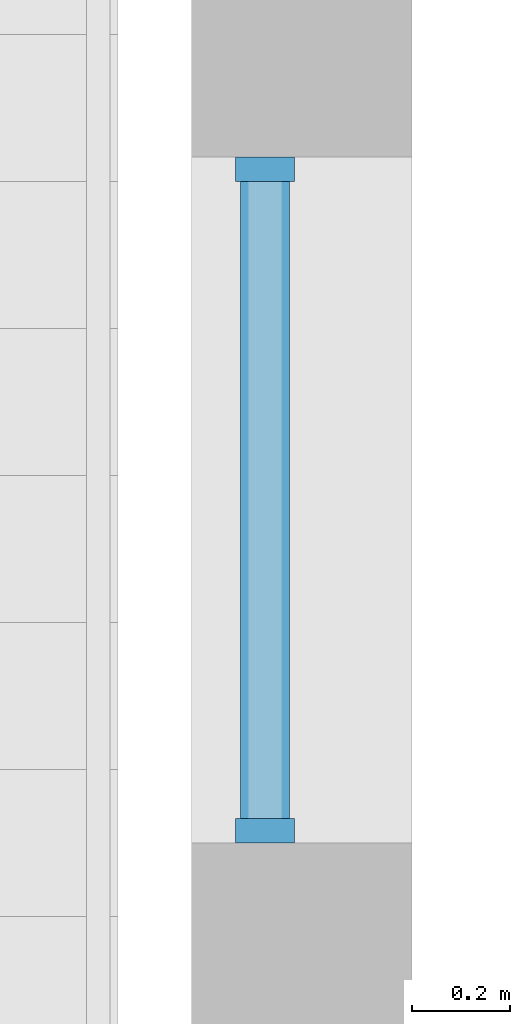
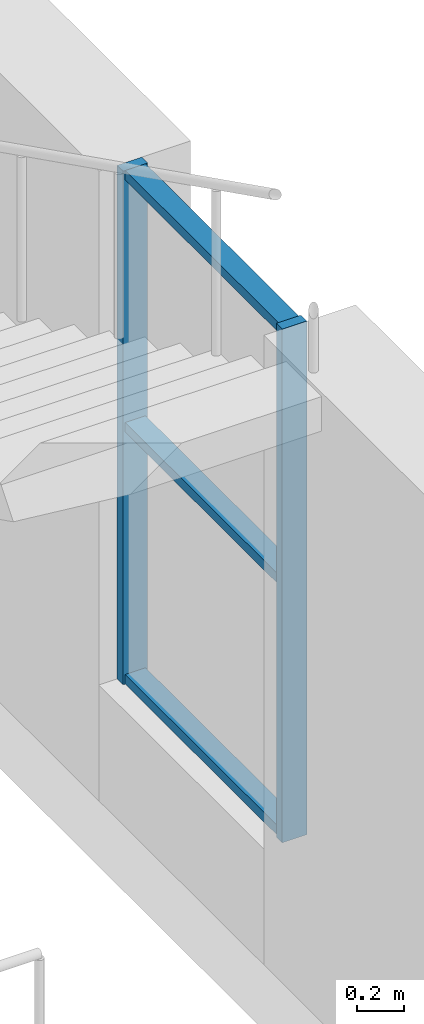
# One storey, part 6 of 45: 5 members, 1 element without a shape of its own.
"""IFC4 building model written with IfcOpenShell, lengths in metres."""

from ifc_helpers import new_model, si_unit, direction, frame, origin, origin_2d, place, context, subcontext, project, spatial, rectangle, extrude, material, material_profile, profile_set, type_object, element, aggregate, save


model = new_model("IFC4")

# Units and contexts
model_context = context("Model", 3, precision=1e-05, world=origin(), true_north=direction((0.0, 1.0)))
body_context = subcontext(model_context, "Body", "Model", "MODEL_VIEW")
ifc_project = project(units=[si_unit("LENGTHUNIT", "METRE"), si_unit("AREAUNIT", "SQUARE_METRE"), si_unit("VOLUMEUNIT", "CUBIC_METRE"), si_unit("PLANEANGLEUNIT", "RADIAN"), si_unit("MASSUNIT", "GRAM", prefix="KILO")], contexts=[model_context])

# Site, building, storey
site_placement = place(None, origin())
site = spatial("IfcSite", under=ifc_project, at=site_placement, CompositionType="ELEMENT")
building_placement = place(site_placement, origin())
building = spatial("IfcBuilding", under=site, at=building_placement, Name="Yavir Park General Hospital", CompositionType="ELEMENT")
storey_placement = place(building_placement, frame((0.0, 0.0, 22.5)))
storey = spatial("IfcBuildingStorey", under=building, at=storey_placement, Name="L05", CompositionType="ELEMENT", Elevation=22.5)

# Curtain wall, members
ifc_material_1 = material(Name="Aluminium curtain wall frame with insulated glazing", Category="aluminium")
curtain_wall_type = type_object("IfcCurtainWallType", Name="Stair light slot, ward floors, 2660 high, 1400 module", PredefinedType="NOTDEFINED", material=ifc_material_1)
curtain_wall_placement = place(storey_placement, origin())
curtain_wall = element("IfcCurtainWall", 1, at=curtain_wall_placement, inside=storey, type_object=curtain_wall_type, Name="CW10 L05-021", PredefinedType="NOTDEFINED")
ifc_material_2 = material(Name="Aluminium", Category="aluminium")
ifc_material_profile_1 = material_profile(ifc_material_2, rectangle(XDim=0.1201171875, YDim=0.050048828125, at=origin_2d()), Name="AL 50x120")
ifc_profile_set_1 = profile_set([ifc_material_profile_1], Name="Aluminium")
member_type_1 = type_object("IfcMemberType", Name="Stair light slot, ward floors, 2660 high mullion 50 x 120", PredefinedType="MULLION", material=ifc_profile_set_1)
member_1_placement = place(storey_placement, frame((25.199951171875, 45.175048828125, 0.60009765625), z_axis=(0.0, 0.0, 1.0), x_axis=(-1.0, 0.0, 0.0)))
member_1 = element("IfcMember", 2, at=member_1_placement, type_object=member_type_1, Name="CW10 mullion 1", PredefinedType="MULLION", context=body_context, shape_type="SweptSolid", body=[
    extrude(rectangle(XDim=0.1201171875, YDim=0.050048828125, at=origin_2d()), origin(), (0.0, 0.0, 1.0), 2.659912109375),
])
member_2_placement = place(storey_placement, frame((25.199951171875, 46.52490234375, 0.60009765625), z_axis=(0.0, 0.0, 1.0), x_axis=(-1.0, 0.0, 0.0)))
member_2 = element("IfcMember", 3, at=member_2_placement, type_object=member_type_1, Name="CW10 mullion 2", PredefinedType="MULLION", context=body_context, shape_type="SweptSolid", body=[
    extrude(rectangle(XDim=0.1201171875, YDim=0.050048828125, at=origin_2d()), origin(), (0.0, 0.0, 1.0), 2.659912109375),
])
ifc_material_3 = material(Name="Aluminium", Category="aluminium")
ifc_material_profile_2 = material_profile(ifc_material_3, rectangle(XDim=0.10009765625, YDim=0.050048828125, at=origin_2d()), Name="AL 100x50")
ifc_profile_set_2 = profile_set([ifc_material_profile_2], Name="Aluminium")
member_type_2 = type_object("IfcMemberType", Name="Stair light slot, ward floors, 2660 high transom 50 x 100", PredefinedType="MULLION", material=ifc_profile_set_2)
member_3_placement = place(storey_placement, frame((25.199951171875, 45.199951171875, 0.625), z_axis=(0.0, 1.0, 0.0), x_axis=(-1.0, 0.0, 0.0)))
member_3 = element("IfcMember", 4, at=member_3_placement, type_object=member_type_2, Name="CW10 transom 1.1", PredefinedType="MULLION", context=body_context, shape_type="SweptSolid", body=[
    extrude(rectangle(XDim=0.10009765625, YDim=0.050048828125, at=origin_2d()), origin(), (0.0, 0.0, 1.0), 1.300048828125),
])
member_4_placement = place(storey_placement, frame((25.199951171875, 45.199951171875, 1.929931640625), z_axis=(0.0, 1.0, 0.0), x_axis=(-1.0, 0.0, 0.0)))
member_4 = element("IfcMember", 5, at=member_4_placement, type_object=member_type_2, Name="CW10 transom 1.2", PredefinedType="MULLION", context=body_context, shape_type="SweptSolid", body=[
    extrude(rectangle(XDim=0.10009765625, YDim=0.050048828125, at=origin_2d()), origin(), (0.0, 0.0, 1.0), 1.300048828125),
])
member_5_placement = place(storey_placement, frame((25.199951171875, 45.199951171875, 3.235107421875), z_axis=(0.0, 1.0, 0.0), x_axis=(-1.0, 0.0, 0.0)))
member_5 = element("IfcMember", 6, at=member_5_placement, type_object=member_type_2, Name="CW10 transom 1.3", PredefinedType="MULLION", context=body_context, shape_type="SweptSolid", body=[
    extrude(rectangle(XDim=0.10009765625, YDim=0.050048828125, at=origin_2d()), origin(), (0.0, 0.0, 1.0), 1.300048828125),
])
aggregate(curtain_wall, [member_1, member_2, member_3, member_4, member_5])

save(model, "model.ifc")
